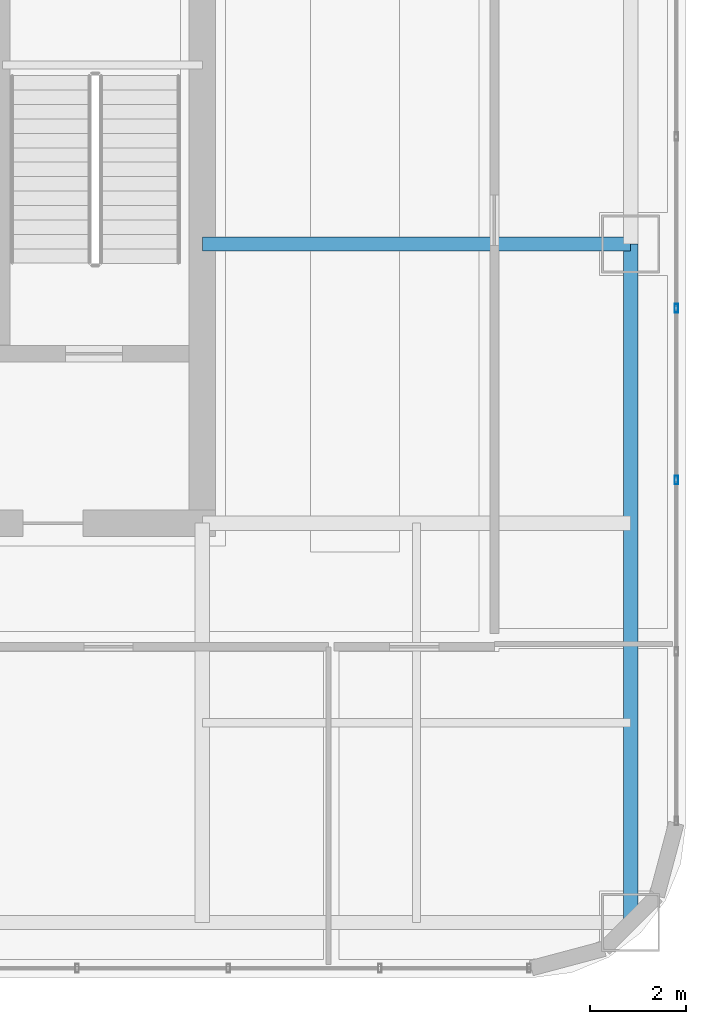
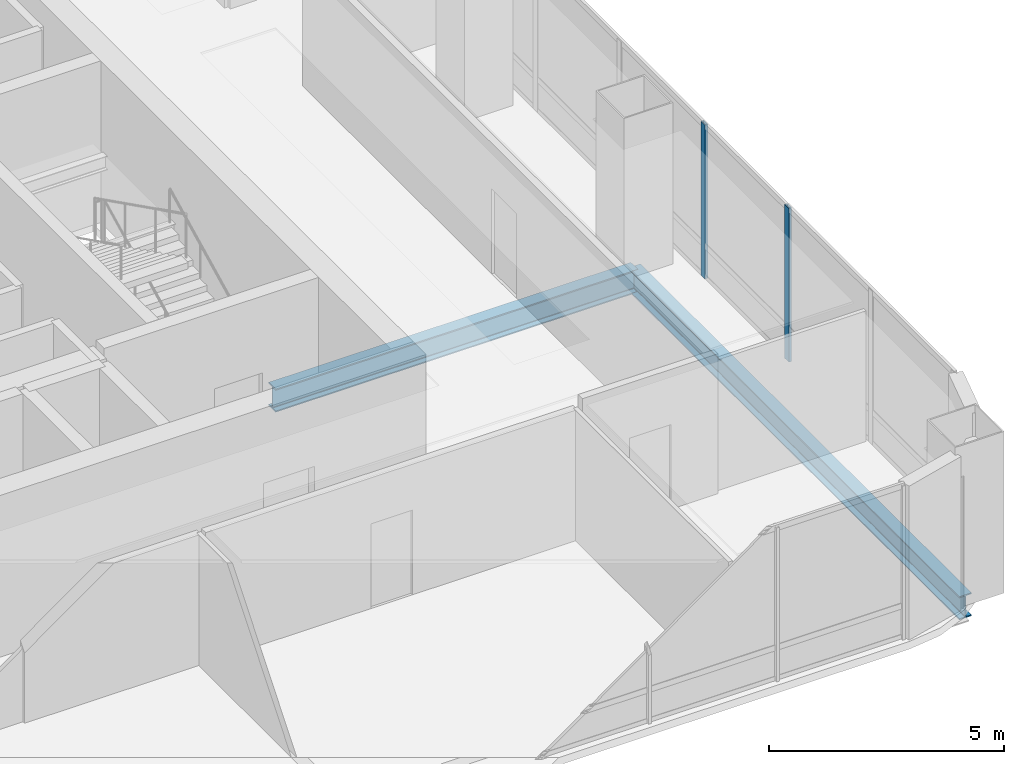
# One storey, part 16 of 43: 2 beams, 2 members, 1 element without a shape of its own.
"""IFC4 building model written with IfcOpenShell, lengths in metres."""

from ifc_helpers import new_model, si_unit, direction, frame, origin, origin_2d, place, context, subcontext, project, spatial, hollow_rectangle, i_section, extrude, material, material_profile, profile_set, type_object, element, aggregate, save


model = new_model("IFC4")

# Units and contexts
model_context = context("Model", 3, precision=1e-05, world=origin(), true_north=direction((0.0, 1.0)))
body_context = subcontext(model_context, "Body", "Model", "MODEL_VIEW")
ifc_project = project(units=[si_unit("LENGTHUNIT", "METRE"), si_unit("AREAUNIT", "SQUARE_METRE"), si_unit("VOLUMEUNIT", "CUBIC_METRE"), si_unit("PLANEANGLEUNIT", "RADIAN"), si_unit("MASSUNIT", "GRAM", prefix="KILO")], contexts=[model_context])

# Site, building, storey
site_placement = place(None, origin())
site = spatial("IfcSite", under=ifc_project, at=site_placement, CompositionType="ELEMENT")
building_placement = place(site_placement, origin())
building = spatial("IfcBuilding", under=site, at=building_placement, Name="Punatoya Terracotta Tower", CompositionType="ELEMENT")
storey_placement = place(building_placement, frame((0.0, 0.0, 300.60009765625)))
storey = spatial("IfcBuildingStorey", under=building, at=storey_placement, Name="L71", CompositionType="ELEMENT", Elevation=300.60009765625)

# Beams
ifc_material_1 = material(Name="Steel S355", Category="steel")
ifc_material_profile_1 = material_profile(ifc_material_1, i_section(OverallWidth=0.300048828125, OverallDepth=0.60009765625, WebThickness=0.015380859375, FlangeThickness=0.030029296875, FilletRadius=0.01806640625, at=origin_2d()))
ifc_profile_set_1 = profile_set([ifc_material_profile_1], Name="Steel S355")
beam_type = type_object("IfcBeamType", Name="BM-PRI-600", PredefinedType="BEAM", material=ifc_profile_set_1)
beam_1_placement = place(storey_placement, frame((19.10009765625, -17.5, -0.5), z_axis=(0.0, 1.0, 0.0), x_axis=(-1.0, 0.0, 0.0)))
element("IfcBeam", 1, at=beam_1_placement, inside=storey, type_object=beam_type, Name="BM-L71-RG-E1", PredefinedType="BEAM", context=body_context, shape_type="SweptSolid", body=[
    extrude(i_section(OverallWidth=0.300048828125, OverallDepth=0.60009765625, WebThickness=0.015380859375, FlangeThickness=0.030029296875, FilletRadius=0.01806640625, at=origin_2d()), origin(), (0.0, 0.0, 1.0), 14.10009765625),
])
beam_2_placement = place(storey_placement, frame((10.199951171875, -3.39990234375, -0.5), z_axis=(1.0, 0.0, 0.0), x_axis=(0.0, 1.0, 0.0)))
element("IfcBeam", 2, at=beam_2_placement, inside=storey, type_object=beam_type, Name="BM-L71-PR-ED", PredefinedType="BEAM", context=body_context, shape_type="SweptSolid", body=[
    extrude(i_section(OverallWidth=0.300048828125, OverallDepth=0.60009765625, WebThickness=0.015380859375, FlangeThickness=0.030029296875, FilletRadius=0.01806640625, at=origin_2d()), origin(), (0.0, 0.0, 1.0), 8.900146484375),
])

# Curtain wall, members
ifc_material_2 = material(Name="Aluminium 6063-T6 + Double Low-E Glass", Category="aluminium")
curtain_wall_type = type_object("IfcCurtainWallType", Name="CW-M3", PredefinedType="NOTDEFINED", material=ifc_material_2)
curtain_wall_placement = place(storey_placement, origin())
curtain_wall = element("IfcCurtainWall", 3, at=curtain_wall_placement, inside=storey, type_object=curtain_wall_type, Name="L71 Curtain Wall CW-L71-E05-1", PredefinedType="NOTDEFINED")
ifc_material_3 = material(Name="Aluminium 6063-T6", Category="aluminium")
ifc_material_profile_2 = material_profile(ifc_material_3, hollow_rectangle(XDim=0.070068359375, YDim=0.179931640625, WallThickness=0.00390625, at=origin_2d()))
ifc_profile_set_2 = profile_set([ifc_material_profile_2], Name="Aluminium 6063-T6")
member_type = type_object("IfcMemberType", Name="CW-MUL-M3", PredefinedType="MULLION", material=ifc_profile_set_2)
member_1_placement = place(storey_placement, frame((20.050048828125, -8.302001953125, 0.0), z_axis=(0.0, 0.0, 1.0), x_axis=(1.0, 0.0, 0.0)))
member_1 = element("IfcMember", 4, at=member_1_placement, type_object=member_type, Name="CW-L71-E05-1 Mullion 02", PredefinedType="MULLION", context=body_context, shape_type="SweptSolid", body=[
    extrude(hollow_rectangle(XDim=0.070068359375, YDim=0.179931640625, WallThickness=0.00390625, at=origin_2d()), origin(), (0.0, 0.0, 1.0), 4.0),
])
member_2_placement = place(storey_placement, frame((20.050048828125, -4.73486328125, 0.0), z_axis=(0.0, 0.0, 1.0), x_axis=(1.0, 0.0, 0.0)))
member_2 = element("IfcMember", 5, at=member_2_placement, type_object=member_type, Name="CW-L71-E05-1 Mullion 03", PredefinedType="MULLION", context=body_context, shape_type="SweptSolid", body=[
    extrude(hollow_rectangle(XDim=0.070068359375, YDim=0.179931640625, WallThickness=0.00390625, at=origin_2d()), origin(), (0.0, 0.0, 1.0), 4.0),
])
aggregate(curtain_wall, [member_1, member_2])

save(model, "model.ifc")
